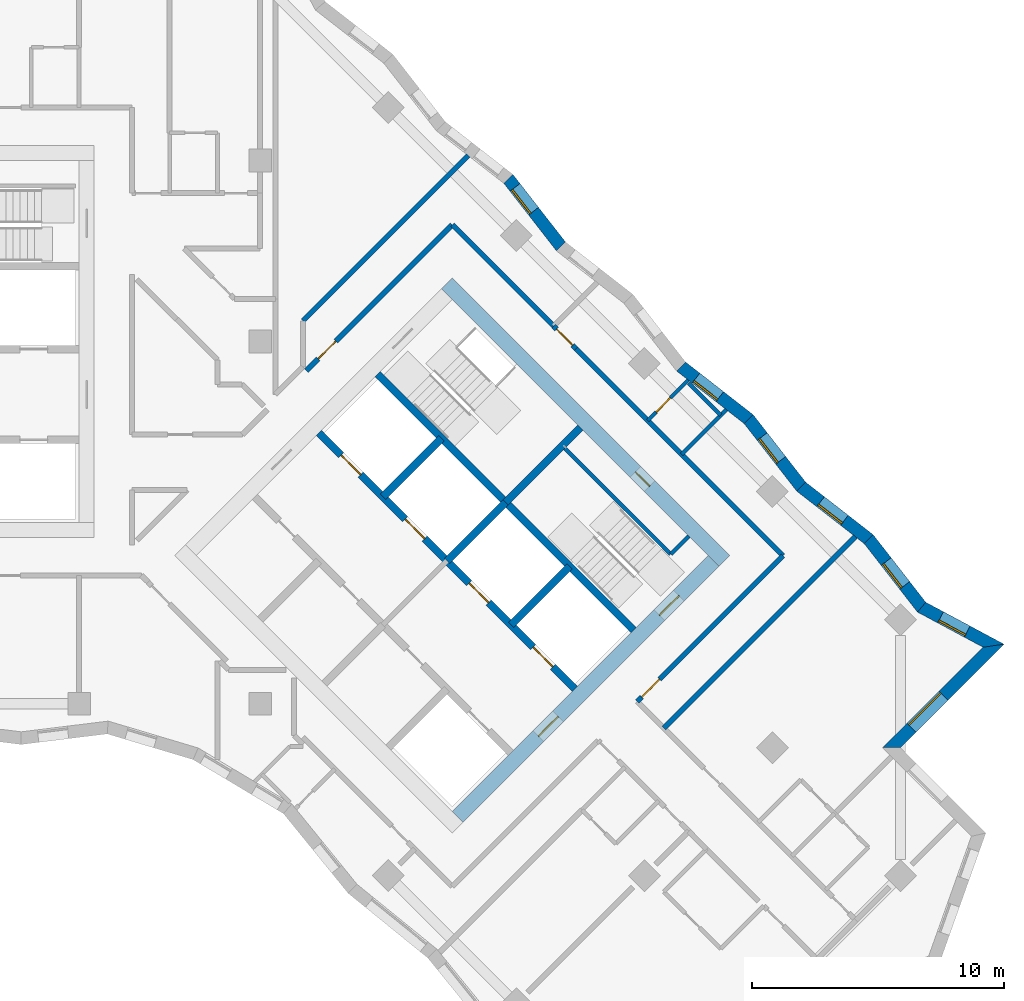
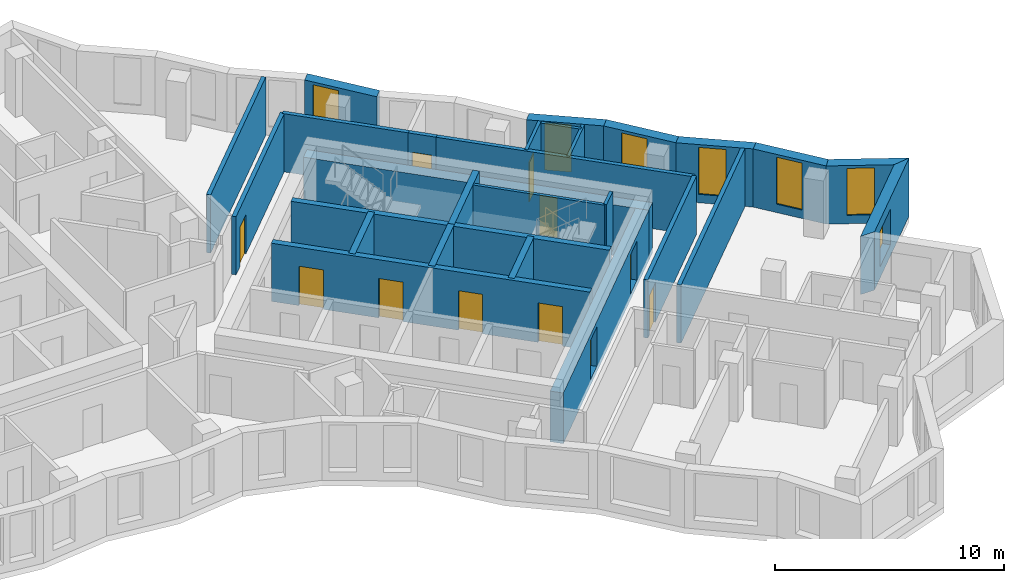
# One storey, part 9 of 12: 28 walls, 11 doors, 7 windows, 18 openings.
"""IFC4 building model written with IfcOpenShell, lengths in metres."""

from ifc_helpers import new_model, si_unit, direction, frame, frame_2d, origin, place, context, subcontext, project, spatial, polyline, rectangle, outline, extrude, material, layer, layer_set, type_object, element, fill, save


model = new_model("IFC4")

# Units and contexts
model_context = context("Model", 3, precision=1e-05, world=origin(), true_north=direction((0.0, 1.0)))
body_context = subcontext(model_context, "Body", "Model", "MODEL_VIEW")
ifc_project = project(units=[si_unit("LENGTHUNIT", "METRE"), si_unit("AREAUNIT", "SQUARE_METRE"), si_unit("VOLUMEUNIT", "CUBIC_METRE"), si_unit("PLANEANGLEUNIT", "RADIAN"), si_unit("MASSUNIT", "GRAM", prefix="KILO")], contexts=[model_context])

# Site, building, storey
site_placement = place(None, origin())
site = spatial("IfcSite", under=ifc_project, at=site_placement, CompositionType="ELEMENT")
building_placement = place(site_placement, origin())
building = spatial("IfcBuilding", under=site, at=building_placement, Name="Windrow Commons", CompositionType="ELEMENT")
storey_placement = place(building_placement, frame((0.0, 0.0, 149.0)))
storey = spatial("IfcBuildingStorey", under=building, at=storey_placement, Name="L40", CompositionType="ELEMENT", Elevation=149.0)

# Wall, opening, window
ifc_material_1 = material(Name="Brick masonry, red clay brick", Category="masonry")
ifc_layer_1 = layer(ifc_material_1, 0.5)
ifc_layer_set_1 = layer_set([ifc_layer_1], Name="Brick facade wall 500")
wall_type_1 = type_object("IfcWallType", Name="Brick facade wall 500", PredefinedType="SOLIDWALL", material=ifc_layer_set_1)
wall_1_placement = place(storey_placement, frame((104.3022, 41.453, 0.0), z_axis=(0.0, 0.0, 1.0), x_axis=(0.7071242197, 0.7070893422, 0.0)))
wall_1 = element("IfcWall", 1, at=wall_1_placement, inside=storey, type_object=wall_type_1, Name="Brick facade wall L40 6", PredefinedType="SOLIDWALL", context=body_context, shape_type="SweptSolid", body=[
    extrude(outline(polyline([(0.25, -0.25), (6.0711, -0.25), (5.3975, 0.25), (-0.25, 0.25), (0.25, -0.25)])), origin(), (0.0, 0.0, 1.0), 3.1),
])
opening_1_placement = place(wall_1_placement, frame((1.125, 0.0, 0.6)))
opening_1 = element("IfcOpeningElement", 2, at=opening_1_placement, cuts=wall_1, Name="Opening W1L", PredefinedType="OPENING", context=body_context, shape_type="SweptSolid", body=[
    extrude(rectangle(XDim=1.8, YDim=1.9, at=frame_2d((0.9, 0.95))), frame((0.0, 0.26, 0.0), z_axis=(0.0, -1.0, 0.0), x_axis=(1.0, 0.0, 0.0)), (0.0, 0.0, 1.0), 0.52),
])
ifc_material_2 = material(Name="Clear float glass in anodised aluminium frame", Category="aluminium")
window_type_1 = type_object("IfcWindowType", Name="Window W1L bedroom 1800x1900", PartitioningType="SINGLE_PANEL", PredefinedType="WINDOW", material=ifc_material_2)
window_1_placement = place(opening_1_placement, origin())
window_1 = element("IfcWindow", 3, at=window_1_placement, inside=storey, type_object=window_type_1, Name="Window L40 6.1", OverallHeight=1.9, OverallWidth=1.8, PartitioningType="SINGLE_PANEL", PredefinedType="WINDOW", context=body_context, shape_type="SweptSolid", body=[
    extrude(rectangle(XDim=1.8, YDim=1.9, at=frame_2d((0.9, 0.95))), frame((0.0, 0.18, 0.0), z_axis=(0.0, -1.0, 0.0), x_axis=(1.0, 0.0, 0.0)), (0.0, 0.0, 1.0), 0.06),
])
fill(opening_1, window_1)

wall_2_placement = place(storey_placement, frame((108.3571, 45.5077, 0.0), z_axis=(0.0, 0.0, 1.0), x_axis=(-0.8815024249, 0.4721794944, 0.0)))
wall_2 = element("IfcWall", 4, at=wall_2_placement, inside=storey, type_object=wall_type_1, Name="Brick facade wall L40 7", PredefinedType="SOLIDWALL", context=body_context, shape_type="SweptSolid", body=[
    extrude(outline(polyline([(-0.3368, -0.25), (3.1909, -0.25), (3.2968, 0.25), (0.3368, 0.25), (-0.3368, -0.25)])), origin(), (0.0, 0.0, 1.0), 3.1),
])
opening_2_placement = place(wall_2_placement, frame((1.1903, 0.0, 0.45)))
opening_2 = element("IfcOpeningElement", 5, at=opening_2_placement, cuts=wall_2, Name="Opening W7E", PredefinedType="OPENING", context=body_context, shape_type="SweptSolid", body=[
    extrude(rectangle(XDim=1.2, YDim=2.5, at=frame_2d((0.6, 1.25))), frame((0.0, 0.26, 0.0), z_axis=(0.0, -1.0, 0.0), x_axis=(1.0, 0.0, 0.0)), (0.0, 0.0, 1.0), 0.52),
])
ifc_material_3 = material(Name="Clear float glass in anodised aluminium frame", Category="aluminium")
window_type_2 = type_object("IfcWindowType", Name="Window W7 notch 1200x2500", PartitioningType="SINGLE_PANEL", PredefinedType="WINDOW", material=ifc_material_3)
window_2_placement = place(opening_2_placement, origin())
window_2 = element("IfcWindow", 6, at=window_2_placement, inside=storey, type_object=window_type_2, Name="Window L40 7.1", OverallHeight=2.5, OverallWidth=1.2, PartitioningType="SINGLE_PANEL", PredefinedType="WINDOW", context=body_context, shape_type="SweptSolid", body=[
    extrude(rectangle(XDim=1.2, YDim=2.5, at=frame_2d((0.6, 1.25))), frame((0.0, 0.18, 0.0), z_axis=(0.0, -1.0, 0.0), x_axis=(1.0, 0.0, 0.0)), (0.0, 0.0, 1.0), 0.06),
])
fill(opening_2, window_2)

wall_3_placement = place(storey_placement, frame((105.4976, 47.0394, 0.0), z_axis=(0.0, 0.0, 1.0), x_axis=(-0.6141912527, 0.7891572119, 0.0)))
wall_3 = element("IfcWall", 7, at=wall_3_placement, inside=storey, type_object=wall_type_1, Name="Brick facade wall L40 8", PredefinedType="SOLIDWALL", context=body_context, shape_type="SweptSolid", body=[
    extrude(outline(polyline([(0.053, -0.25), (3.4558, -0.25), (3.3935, 0.25), (-0.053, 0.25), (0.053, -0.25)])), origin(), (0.0, 0.0, 1.0), 3.1),
])
opening_3_placement = place(wall_3_placement, frame((1.0967, 0.0, 0.45)))
opening_3 = element("IfcOpeningElement", 8, at=opening_3_placement, cuts=wall_3, Name="Opening W7E", PredefinedType="OPENING", context=body_context, shape_type="SweptSolid", body=[
    extrude(rectangle(XDim=1.2, YDim=2.5, at=frame_2d((0.6, 1.25))), frame((0.0, 0.26, 0.0), z_axis=(0.0, -1.0, 0.0), x_axis=(1.0, 0.0, 0.0)), (0.0, 0.0, 1.0), 0.52),
])
window_3_placement = place(opening_3_placement, origin())
window_3 = element("IfcWindow", 9, at=window_3_placement, inside=storey, type_object=window_type_2, Name="Window L40 8.1", OverallHeight=2.5, OverallWidth=1.2, PartitioningType="SINGLE_PANEL", PredefinedType="WINDOW", context=body_context, shape_type="SweptSolid", body=[
    extrude(rectangle(XDim=1.2, YDim=2.5, at=frame_2d((0.6, 1.25))), frame((0.0, 0.18, 0.0), z_axis=(0.0, -1.0, 0.0), x_axis=(1.0, 0.0, 0.0)), (0.0, 0.0, 1.0), 0.06),
])
fill(opening_3, window_3)

wall_4_placement = place(storey_placement, frame((103.3942, 49.742, 0.0), z_axis=(0.0, 0.0, 1.0), x_axis=(-0.7891622864, 0.6141847326, 0.0)))
wall_4 = element("IfcWall", 10, at=wall_4_placement, inside=storey, type_object=wall_type_1, Name="Brick facade wall L40 9", PredefinedType="SOLIDWALL", context=body_context, shape_type="SweptSolid", body=[
    extrude(outline(polyline([(-0.0312, -0.25), (3.3716, -0.25), (3.434, 0.25), (0.0312, 0.25), (-0.0312, -0.25)])), origin(), (0.0, 0.0, 1.0), 3.1),
])
opening_4_placement = place(wall_4_placement, frame((1.2265, 0.0, 0.45)))
opening_4 = element("IfcOpeningElement", 11, at=opening_4_placement, cuts=wall_4, Name="Opening W7E", PredefinedType="OPENING", context=body_context, shape_type="SweptSolid", body=[
    extrude(rectangle(XDim=1.2, YDim=2.5, at=frame_2d((0.6, 1.25))), frame((0.0, 0.26, 0.0), z_axis=(0.0, -1.0, 0.0), x_axis=(1.0, 0.0, 0.0)), (0.0, 0.0, 1.0), 0.52),
])
window_4_placement = place(opening_4_placement, origin())
window_4 = element("IfcWindow", 12, at=window_4_placement, inside=storey, type_object=window_type_2, Name="Window L40 9.1", OverallHeight=2.5, OverallWidth=1.2, PartitioningType="SINGLE_PANEL", PredefinedType="WINDOW", context=body_context, shape_type="SweptSolid", body=[
    extrude(rectangle(XDim=1.2, YDim=2.5, at=frame_2d((0.6, 1.25))), frame((0.0, 0.18, 0.0), z_axis=(0.0, -1.0, 0.0), x_axis=(1.0, 0.0, 0.0)), (0.0, 0.0, 1.0), 0.06),
])
fill(opening_4, window_4)

wall_5_placement = place(storey_placement, frame((100.7089, 51.8319, 0.0), z_axis=(0.0, 0.0, 1.0), x_axis=(-0.6141887905, 0.7891591282, 0.0)))
wall_5 = element("IfcWall", 13, at=wall_5_placement, inside=storey, type_object=wall_type_1, Name="Brick facade wall L40 10", PredefinedType="SOLIDWALL", context=body_context, shape_type="SweptSolid", body=[
    extrude(outline(polyline([(0.0312, -0.25), (3.434, -0.25), (3.3716, 0.25), (-0.0312, 0.25), (0.0312, -0.25)])), origin(), (0.0, 0.0, 1.0), 3.1),
])
opening_5_placement = place(wall_5_placement, frame((1.3234, 0.0, 0.45)))
opening_5 = element("IfcOpeningElement", 14, at=opening_5_placement, cuts=wall_5, Name="Opening W7E", PredefinedType="OPENING", context=body_context, shape_type="SweptSolid", body=[
    extrude(rectangle(XDim=1.2, YDim=2.5, at=frame_2d((0.6, 1.25))), frame((0.0, 0.26, 0.0), z_axis=(0.0, -1.0, 0.0), x_axis=(1.0, 0.0, 0.0)), (0.0, 0.0, 1.0), 0.52),
])
window_5_placement = place(opening_5_placement, origin())
window_5 = element("IfcWindow", 15, at=window_5_placement, inside=storey, type_object=window_type_2, Name="Window L40 10.1", OverallHeight=2.5, OverallWidth=1.2, PartitioningType="SINGLE_PANEL", PredefinedType="WINDOW", context=body_context, shape_type="SweptSolid", body=[
    extrude(rectangle(XDim=1.2, YDim=2.5, at=frame_2d((0.6, 1.25))), frame((0.0, 0.18, 0.0), z_axis=(0.0, -1.0, 0.0), x_axis=(1.0, 0.0, 0.0)), (0.0, 0.0, 1.0), 0.06),
])
fill(opening_5, window_5)

wall_6_placement = place(storey_placement, frame((98.6189, 54.5173, 0.0), z_axis=(0.0, 0.0, 1.0), x_axis=(-0.7891480422, 0.6142030344, 0.0)))
wall_6 = element("IfcWall", 16, at=wall_6_placement, inside=storey, type_object=wall_type_1, Name="Brick facade wall L40 11", PredefinedType="SOLIDWALL", context=body_context, shape_type="SweptSolid", body=[
    extrude(outline(polyline([(-0.0312, -0.25), (3.3716, -0.25), (3.434, 0.25), (0.0312, 0.25), (-0.0312, -0.25)])), origin(), (0.0, 0.0, 1.0), 3.1),
])
opening_6_placement = place(wall_6_placement, frame((1.4516, 0.0, 0.45)))
opening_6 = element("IfcOpeningElement", 17, at=opening_6_placement, cuts=wall_6, Name="Opening W7E", PredefinedType="OPENING", context=body_context, shape_type="SweptSolid", body=[
    extrude(rectangle(XDim=1.2, YDim=2.5, at=frame_2d((0.6, 1.25))), frame((0.0, 0.26, 0.0), z_axis=(0.0, -1.0, 0.0), x_axis=(1.0, 0.0, 0.0)), (0.0, 0.0, 1.0), 0.52),
])
window_6_placement = place(opening_6_placement, origin())
window_6 = element("IfcWindow", 18, at=window_6_placement, inside=storey, type_object=window_type_2, Name="Window L40 11.1", OverallHeight=2.5, OverallWidth=1.2, PartitioningType="SINGLE_PANEL", PredefinedType="WINDOW", context=body_context, shape_type="SweptSolid", body=[
    extrude(rectangle(XDim=1.2, YDim=2.5, at=frame_2d((0.6, 1.25))), frame((0.0, 0.18, 0.0), z_axis=(0.0, -1.0, 0.0), x_axis=(1.0, 0.0, 0.0)), (0.0, 0.0, 1.0), 0.06),
])
fill(opening_6, window_6)

wall_7_placement = place(storey_placement, frame((91.1582, 61.3826, 0.0), z_axis=(0.0, 0.0, 1.0), x_axis=(-0.6141847326, 0.7891622864, 0.0)))
wall_7 = element("IfcWall", 19, at=wall_7_placement, inside=storey, type_object=wall_type_1, Name="Brick facade wall L40 14", PredefinedType="SOLIDWALL", context=body_context, shape_type="SweptSolid", body=[
    extrude(outline(polyline([(0.0312, -0.25), (3.434, -0.25), (3.3716, 0.25), (-0.0312, 0.25), (0.0312, -0.25)])), origin(), (0.0, 0.0, 1.0), 3.1),
])
opening_7_placement = place(wall_7_placement, frame((1.7736, 0.0, 0.45)))
opening_7 = element("IfcOpeningElement", 20, at=opening_7_placement, cuts=wall_7, Name="Opening W7E", PredefinedType="OPENING", context=body_context, shape_type="SweptSolid", body=[
    extrude(rectangle(XDim=1.2, YDim=2.5, at=frame_2d((0.6, 1.25))), frame((0.0, 0.26, 0.0), z_axis=(0.0, -1.0, 0.0), x_axis=(1.0, 0.0, 0.0)), (0.0, 0.0, 1.0), 0.52),
])
window_7_placement = place(opening_7_placement, origin())
window_7 = element("IfcWindow", 21, at=window_7_placement, inside=storey, type_object=window_type_2, Name="Window L40 14.1", OverallHeight=2.5, OverallWidth=1.2, PartitioningType="SINGLE_PANEL", PredefinedType="WINDOW", context=body_context, shape_type="SweptSolid", body=[
    extrude(rectangle(XDim=1.2, YDim=2.5, at=frame_2d((0.6, 1.25))), frame((0.0, 0.18, 0.0), z_axis=(0.0, -1.0, 0.0), x_axis=(1.0, 0.0, 0.0)), (0.0, 0.0, 1.0), 0.06),
])
fill(opening_7, window_7)

# Wall
ifc_material_4 = material(Name="Blockwork partition", Category="masonry")
ifc_layer_2 = layer(ifc_material_4, 0.2)
ifc_layer_set_2 = layer_set([ifc_layer_2], Name="IW-CORRIDOR-200")
wall_type_2 = type_object("IfcWallType", Name="IW-CORRIDOR-200", PredefinedType="PARTITIONING", material=ifc_layer_set_2)
wall_8_placement = place(storey_placement, frame((91.7551, 57.3171, 0.0), z_axis=(0.0, 0.0, 1.0), x_axis=(0.7071067812, -0.7071067812, 0.0)))
element("IfcWall", 22, at=wall_8_placement, inside=storey, type_object=wall_type_2, Name="W-L40-W006", PredefinedType="PARTITIONING", context=body_context, shape_type="SweptSolid", body=[
    extrude(rectangle(XDim=11.639, YDim=0.2, at=frame_2d((5.8195, 0.0))), origin(), (0.0, 0.0, 1.0), 3.1),
])

# Wall, opening, door
wall_9_placement = place(storey_placement, frame((94.1898, 43.2922, 0.0), z_axis=(0.0, 0.0, 1.0), x_axis=(0.7071067812, 0.7071067812, 0.0)))
wall_9 = element("IfcWall", 23, at=wall_9_placement, inside=storey, type_object=wall_type_2, Name="W-L40-W011", PredefinedType="PARTITIONING", context=body_context, shape_type="SweptSolid", body=[
    extrude(rectangle(XDim=8.1996, YDim=0.2, at=frame_2d((4.0998, 0.0))), origin(), (0.0, 0.0, 1.0), 3.1),
])
opening_8_placement = place(wall_9_placement, frame((0.2506, 0.0, 0.0)))
opening_8 = element("IfcOpeningElement", 24, at=opening_8_placement, cuts=wall_9, Name="Opening D310F", PredefinedType="OPENING", context=body_context, shape_type="SweptSolid", body=[
    extrude(rectangle(XDim=1.0, YDim=2.1, at=frame_2d((0.5, 1.05))), frame((0.0, 0.11, 0.0), z_axis=(0.0, -1.0, 0.0), x_axis=(1.0, 0.0, 0.0)), (0.0, 0.0, 1.0), 0.22),
])
ifc_material_5 = material(Name="Timber door leaf", Category="wood")
door_type_1 = type_object("IfcDoorType", Name="DT-AMENITY-1000", OperationType="SINGLE_SWING_LEFT", PredefinedType="DOOR", material=ifc_material_5)
door_1_placement = place(opening_8_placement, origin())
door_1 = element("IfcDoor", 25, at=door_1_placement, inside=storey, type_object=door_type_1, Name="D-L40-D041", OperationType="SINGLE_SWING_RIGHT", OverallHeight=2.1, OverallWidth=1.0, PredefinedType="DOOR", context=body_context, shape_type="SweptSolid", body=[
    extrude(rectangle(XDim=1.0, YDim=2.1, at=frame_2d((0.5, 1.05))), frame((0.0, 0.025, 0.0), z_axis=(0.0, -1.0, 0.0), x_axis=(1.0, 0.0, 0.0)), (0.0, 0.0, 1.0), 0.05),
])
fill(opening_8, door_1)

wall_10_placement = place(storey_placement, frame((81.0376, 56.4444, 0.0), z_axis=(0.0, 0.0, 1.0), x_axis=(0.7071067812, 0.7071067812, 0.0)))
wall_10 = element("IfcWall", 26, at=wall_10_placement, inside=storey, type_object=wall_type_2, Name="W-L40-W012", PredefinedType="PARTITIONING", context=body_context, shape_type="SweptSolid", body=[
    extrude(rectangle(XDim=8.1996, YDim=0.2, at=frame_2d((4.0998, 0.0))), origin(), (0.0, 0.0, 1.0), 3.1),
])
opening_9_placement = place(wall_10_placement, frame((0.6596, 0.0, 0.0)))
opening_9 = element("IfcOpeningElement", 27, at=opening_9_placement, cuts=wall_10, Name="Opening D310F", PredefinedType="OPENING", context=body_context, shape_type="SweptSolid", body=[
    extrude(rectangle(XDim=1.0, YDim=2.1, at=frame_2d((0.5, 1.05))), frame((0.0, 0.11, 0.0), z_axis=(0.0, -1.0, 0.0), x_axis=(1.0, 0.0, 0.0)), (0.0, 0.0, 1.0), 0.22),
])
door_2_placement = place(opening_9_placement, origin())
door_2 = element("IfcDoor", 28, at=door_2_placement, inside=storey, type_object=door_type_1, Name="D-L40-D040", OperationType="SINGLE_SWING_RIGHT", OverallHeight=2.1, OverallWidth=1.0, PredefinedType="DOOR", context=body_context, shape_type="SweptSolid", body=[
    extrude(rectangle(XDim=1.0, YDim=2.1, at=frame_2d((0.5, 1.05))), frame((0.0, 0.025, 0.0), z_axis=(0.0, -1.0, 0.0), x_axis=(1.0, 0.0, 0.0)), (0.0, 0.0, 1.0), 0.05),
])
fill(opening_9, door_2)

# Wall
wall_11_placement = place(storey_placement, frame((86.8412, 62.2452, 0.0), z_axis=(0.0, 0.0, 1.0), x_axis=(0.7071067812, -0.7071067812, 0.0)))
element("IfcWall", 29, at=wall_11_placement, inside=storey, type_object=wall_type_2, Name="W-L40-W034", PredefinedType="PARTITIONING", context=body_context, shape_type="SweptSolid", body=[
    extrude(rectangle(XDim=5.6993, YDim=0.2, at=frame_2d((2.8497, 0.0))), origin(), (0.0, 0.0, 1.0), 3.1),
])

# Wall, opening, door
wall_12_placement = place(storey_placement, frame((90.8671, 58.2111, 0.0), z_axis=(0.0, 0.0, 1.0), x_axis=(0.706312726, -0.7078999456, 0.0)))
wall_12 = element("IfcWall", 30, at=wall_12_placement, inside=storey, type_object=wall_type_2, Name="W-L40-W148", PredefinedType="PARTITIONING", context=body_context, shape_type="SweptSolid", body=[
    extrude(rectangle(XDim=1.2601, YDim=0.2, at=frame_2d((0.63, 0.0))), origin(), (0.0, 0.0, 1.0), 3.1),
])
opening_10_placement = place(wall_12_placement, frame((0.1624, 0.0, 0.0)))
opening_10 = element("IfcOpeningElement", 31, at=opening_10_placement, cuts=wall_12, Name="Opening D109S", PredefinedType="OPENING", context=body_context, shape_type="SweptSolid", body=[
    extrude(rectangle(XDim=0.9, YDim=2.1, at=frame_2d((0.45, 1.05))), frame((0.0, 0.11, 0.0), z_axis=(0.0, -1.0, 0.0), x_axis=(1.0, 0.0, 0.0)), (0.0, 0.0, 1.0), 0.22),
])
ifc_material_6 = material(Name="Timber door leaf", Category="wood")
door_type_2 = type_object("IfcDoorType", Name="DT-BEDROOM-900", OperationType="SINGLE_SWING_LEFT", PredefinedType="DOOR", material=ifc_material_6)
door_3_placement = place(opening_10_placement, origin())
door_3 = element("IfcDoor", 32, at=door_3_placement, inside=storey, type_object=door_type_2, Name="D-L40-D044", OperationType="SINGLE_SWING_RIGHT", OverallHeight=2.1, OverallWidth=0.9, PredefinedType="DOOR", context=body_context, shape_type="SweptSolid", body=[
    extrude(rectangle(XDim=0.9, YDim=2.1, at=frame_2d((0.45, 1.05))), frame((0.0, 0.025, 0.0), z_axis=(0.0, -1.0, 0.0), x_axis=(1.0, 0.0, 0.0)), (0.0, 0.0, 1.0), 0.05),
])
fill(opening_10, door_3)

# Wall
ifc_material_7 = material(Name="Blockwork partition", Category="masonry")
ifc_layer_3 = layer(ifc_material_7, 0.15)
ifc_layer_set_3 = layer_set([ifc_layer_3], Name="IW-ENSUITE-150")
wall_type_3 = type_object("IfcWallType", Name="IW-ENSUITE-150", PredefinedType="PARTITIONING", material=ifc_layer_set_3)
wall_13_placement = place(storey_placement, frame((95.9573, 53.1207, 0.0), z_axis=(0.0, 0.0, 1.0), x_axis=(0.7071067812, 0.7071067812, 0.0)))
element("IfcWall", 33, at=wall_13_placement, inside=storey, type_object=wall_type_3, Name="W-L40-W064", PredefinedType="PARTITIONING", context=body_context, shape_type="SweptSolid", body=[
    extrude(rectangle(XDim=2.5061, YDim=0.15, at=frame_2d((1.253, 0.0))), origin(), (0.0, 0.0, 1.0), 3.1),
])

# Wall, opening, door
wall_14_placement = place(storey_placement, frame((94.6138, 54.4642, 0.0), z_axis=(0.0, 0.0, 1.0), x_axis=(0.7070847464, 0.7071288153, 0.0)))
wall_14 = element("IfcWall", 34, at=wall_14_placement, inside=storey, type_object=wall_type_3, Name="W-L40-W106", PredefinedType="PARTITIONING", context=body_context, shape_type="SweptSolid", body=[
    extrude(rectangle(XDim=2.2692, YDim=0.15, at=frame_2d((1.1346, 0.0))), origin(), (0.0, 0.0, 1.0), 3.1),
])
opening_11_placement = place(wall_14_placement, frame((0.4662, 0.0, 0.0)))
opening_11 = element("IfcOpeningElement", 35, at=opening_11_placement, cuts=wall_14, Name="Opening D208N", PredefinedType="OPENING", context=body_context, shape_type="SweptSolid", body=[
    extrude(rectangle(XDim=0.8, YDim=2.1, at=frame_2d((0.4, 1.05))), frame((0.0, 0.085, 0.0), z_axis=(0.0, -1.0, 0.0), x_axis=(1.0, 0.0, 0.0)), (0.0, 0.0, 1.0), 0.17),
])
ifc_material_8 = material(Name="Timber door leaf", Category="wood")
door_type_3 = type_object("IfcDoorType", Name="DT-ENSUITE-800", OperationType="SINGLE_SWING_LEFT", PredefinedType="DOOR", material=ifc_material_8)
door_4_placement = place(opening_11_placement, origin())
door_4 = element("IfcDoor", 36, at=door_4_placement, inside=storey, type_object=door_type_3, Name="D-L40-D045", OperationType="SINGLE_SWING_RIGHT", OverallHeight=2.1, OverallWidth=0.8, PredefinedType="DOOR", context=body_context, shape_type="SweptSolid", body=[
    extrude(rectangle(XDim=0.8, YDim=2.1, at=frame_2d((0.4, 1.05))), frame((0.0, 0.025, 0.0), z_axis=(0.0, -1.0, 0.0), x_axis=(1.0, 0.0, 0.0)), (0.0, 0.0, 1.0), 0.05),
])
fill(opening_11, door_4)

# Walls
wall_15_placement = place(storey_placement, frame((96.2348, 55.9488, 0.0), z_axis=(0.0, 0.0, 1.0), x_axis=(0.7071067812, -0.7071067812, 0.0)))
element("IfcWall", 37, at=wall_15_placement, inside=storey, type_object=wall_type_3, Name="W-L40-W138", PredefinedType="PARTITIONING", context=body_context, shape_type="SweptSolid", body=[
    extrude(rectangle(XDim=1.8045, YDim=0.15, at=frame_2d((0.9022, 0.0))), origin(), (0.0, 0.0, 1.0), 3.1),
])
ifc_material_9 = material(Name="Blockwork partition", Category="masonry")
ifc_layer_4 = layer(ifc_material_9, 0.2)
ifc_layer_set_4 = layer_set([ifc_layer_4], Name="IW-PARTY-200")
wall_type_4 = type_object("IfcWallType", Name="IW-PARTY-200", PredefinedType="PARTITIONING", material=ifc_layer_set_4)
wall_16_placement = place(storey_placement, frame((95.2504, 42.2316, 0.0), z_axis=(0.0, 0.0, 1.0), x_axis=(0.7071114274, 0.7071021349, 0.0)))
element("IfcWall", 38, at=wall_16_placement, inside=storey, type_object=wall_type_4, Name="W-L40-W007", PredefinedType="PARTITIONING", context=body_context, shape_type="SweptSolid", body=[
    extrude(rectangle(XDim=10.7614, YDim=0.2, at=frame_2d((5.3807, 0.0))), origin(), (0.0, 0.0, 1.0), 3.1),
])
wall_17_placement = place(storey_placement, frame((80.8989, 58.4271, 0.0), z_axis=(0.0, 0.0, 1.0), x_axis=(0.707112163, 0.7071013993, 0.0)))
element("IfcWall", 39, at=wall_17_placement, inside=storey, type_object=wall_type_4, Name="W-L40-W009", PredefinedType="PARTITIONING", context=body_context, shape_type="SweptSolid", body=[
    extrude(rectangle(XDim=9.2905, YDim=0.2, at=frame_2d((4.6452, 0.0))), origin(), (0.0, 0.0, 1.0), 3.1),
])

# Wall, opening, door
ifc_material_10 = material(Name="Concrete C50/60", Category="concrete")
ifc_layer_5 = layer(ifc_material_10, 0.6)
ifc_layer_set_5 = layer_set([ifc_layer_5], Name="RC CORE WALL 600 C50/60")
wall_type_5 = type_object("IfcWallType", Name="RC CORE WALL 600 C50/60", PredefinedType="SHEAR", material=ifc_layer_set_5)
wall_18_placement = place(storey_placement, frame((86.6246, 59.9085, -0.3), z_axis=(0.0, 0.0, 1.0), x_axis=(0.7071067812, -0.7071067812, 0.0)))
wall_18 = element("IfcWall", 40, at=wall_18_placement, inside=storey, type_object=wall_type_5, Name="Core B wall outer-N", PredefinedType="SHEAR", context=body_context, shape_type="SweptSolid", body=[
    extrude(rectangle(XDim=15.6, YDim=0.6, at=frame_2d((7.8, 0.0))), origin(), (0.0, 0.0, 1.0), 2.7),
])
opening_12_placement = place(wall_18_placement, frame((10.6, 0.0, 0.3)))
opening_12 = element("IfcOpeningElement", 41, at=opening_12_placement, cuts=wall_18, Name="Opening D9", PredefinedType="OPENING", context=body_context, shape_type="SweptSolid", body=[
    extrude(rectangle(XDim=0.8, YDim=2.1, at=frame_2d((0.4, 1.05))), frame((0.0, 0.31, 0.0), z_axis=(0.0, -1.0, 0.0), x_axis=(1.0, 0.0, 0.0)), (0.0, 0.0, 1.0), 0.62),
])
ifc_material_11 = material(Name="Steel fire door leaf", Category="steel")
door_type_4 = type_object("IfcDoorType", Name="Riser access door 800", OperationType="SINGLE_SWING_LEFT", PredefinedType="DOOR", material=ifc_material_11)
door_5_placement = place(opening_12_placement, origin())
door_5 = element("IfcDoor", 42, at=door_5_placement, inside=storey, type_object=door_type_4, Name="Riser access door", OperationType="SINGLE_SWING_RIGHT", OverallHeight=2.1, OverallWidth=0.8, PredefinedType="DOOR", context=body_context, shape_type="SweptSolid", body=[
    extrude(rectangle(XDim=0.8, YDim=2.1, at=frame_2d((0.4, 1.05))), frame((0.0, 0.025, 0.0), z_axis=(0.0, -1.0, 0.0), x_axis=(1.0, 0.0, 0.0)), (0.0, 0.0, 1.0), 0.05),
])
fill(opening_12, door_5)

# Wall, openings, doors
wall_19_placement = place(storey_placement, frame((87.0489, 38.6953, -0.3), z_axis=(0.0, 0.0, 1.0), x_axis=(0.7071067812, 0.7071067812, 0.0)))
wall_19 = element("IfcWall", 43, at=wall_19_placement, inside=storey, type_object=wall_type_5, Name="Core B wall outer-E", PredefinedType="SHEAR", context=body_context, shape_type="SweptSolid", body=[
    extrude(rectangle(XDim=14.3999, YDim=0.6, at=frame_2d((7.2, 0.0))), origin(), (0.0, 0.0, 1.0), 2.7),
])
opening_13_placement = place(wall_19_placement, frame((4.55, 0.0, 0.3)))
opening_13 = element("IfcOpeningElement", 44, at=opening_13_placement, cuts=wall_19, Name="Opening D6", PredefinedType="OPENING", context=body_context, shape_type="SweptSolid", body=[
    extrude(rectangle(XDim=1.1, YDim=2.1, at=frame_2d((0.55, 1.05))), frame((0.0, 0.31, 0.0), z_axis=(0.0, -1.0, 0.0), x_axis=(1.0, 0.0, 0.0)), (0.0, 0.0, 1.0), 0.62),
])
opening_14_placement = place(wall_19_placement, frame((11.35, 0.0, 0.3)))
opening_14 = element("IfcOpeningElement", 45, at=opening_14_placement, cuts=wall_19, Name="Opening D7", PredefinedType="OPENING", context=body_context, shape_type="SweptSolid", body=[
    extrude(rectangle(XDim=1.1, YDim=2.1, at=frame_2d((0.55, 1.05))), frame((0.0, 0.31, 0.0), z_axis=(0.0, -1.0, 0.0), x_axis=(1.0, 0.0, 0.0)), (0.0, 0.0, 1.0), 0.62),
])
ifc_material_12 = material(Name="Steel fire door leaf", Category="steel")
door_type_5 = type_object("IfcDoorType", Name="Core lobby door 1100", OperationType="SINGLE_SWING_LEFT", PredefinedType="DOOR", material=ifc_material_12)
door_6_placement = place(opening_13_placement, origin())
door_6 = element("IfcDoor", 46, at=door_6_placement, inside=storey, type_object=door_type_5, Name="Lift lobby door", OperationType="DOUBLE_DOOR_SINGLE_SWING", OverallHeight=2.1, OverallWidth=1.1, PredefinedType="DOOR", context=body_context, shape_type="SweptSolid", body=[
    extrude(rectangle(XDim=1.1, YDim=2.1, at=frame_2d((0.55, 1.05))), frame((0.0, 0.025, 0.0), z_axis=(0.0, -1.0, 0.0), x_axis=(1.0, 0.0, 0.0)), (0.0, 0.0, 1.0), 0.05),
])
fill(opening_13, door_6)
ifc_material_13 = material(Name="Steel fire door leaf", Category="steel")
door_type_6 = type_object("IfcDoorType", Name="Stair door 1100", OperationType="SINGLE_SWING_LEFT", PredefinedType="DOOR", material=ifc_material_13)
door_7_placement = place(opening_14_placement, origin())
door_7 = element("IfcDoor", 47, at=door_7_placement, inside=storey, type_object=door_type_6, Name="Stair door", OperationType="SINGLE_SWING_RIGHT", OverallHeight=2.1, OverallWidth=1.1, PredefinedType="DOOR", context=body_context, shape_type="SweptSolid", body=[
    extrude(rectangle(XDim=1.1, YDim=2.1, at=frame_2d((0.55, 1.05))), frame((0.0, 0.025, 0.0), z_axis=(0.0, -1.0, 0.0), x_axis=(1.0, 0.0, 0.0)), (0.0, 0.0, 1.0), 0.05),
])
fill(opening_14, door_7)

# Walls
ifc_material_14 = material(Name="Concrete C50/60", Category="concrete")
ifc_layer_6 = layer(ifc_material_14, 0.3)
ifc_layer_set_6 = layer_set([ifc_layer_6], Name="RC SHAFT WALL 300 C50/60")
wall_type_6 = type_object("IfcWallType", Name="RC SHAFT WALL 300 C50/60", PredefinedType="SOLIDWALL", material=ifc_layer_set_6)
wall_20_placement = place(storey_placement, frame((84.079, 51.4232, 0.0), z_axis=(0.0, 0.0, 1.0), x_axis=(0.7071219326, 0.7070916295, 0.0)))
element("IfcWall", 48, at=wall_20_placement, inside=storey, type_object=wall_type_6, Name="Core B wall shaft-N1", PredefinedType="SOLIDWALL", context=body_context, shape_type="SweptSolid", body=[
    extrude(rectangle(XDim=3.3, YDim=0.3, at=frame_2d((1.65, 0.0))), origin(), (0.0, 0.0, 1.0), 3.1),
])
for number, where, z_axis, x_axis, name in (
    (49, (86.6246, 48.8776, 0.0), (0.0, 0.0, 1.0), (0.7071067812, 0.7071067812, 0.0), "Core B wall shaft-N2"),
    (50, (89.1702, 46.332, 0.0), (0.0, 0.0, 1.0), (0.7071067812, 0.7071067812, 0.0), "Core B wall shaft-N3"),
):
    element("IfcWall", number, at=place(storey_placement, frame(where, z_axis=z_axis, x_axis=x_axis)), inside=storey, type_object=wall_type_6, Name=name, PredefinedType="SOLIDWALL", context=body_context, shape_type="SweptSolid", body=[
        extrude(rectangle(XDim=3.3001, YDim=0.3, at=frame_2d((1.6501, 0.0))), origin(), (0.0, 0.0, 1.0), 3.1),
    ])

# Wall, openings, doors
wall_21_placement = place(storey_placement, frame((81.5335, 53.9688, 0.0), z_axis=(0.0, 0.0, 1.0), x_axis=(0.707103309, -0.7071102534, 0.0)))
wall_21 = element("IfcWall", 51, at=wall_21_placement, inside=storey, type_object=wall_type_6, Name="Core B wall lobby-N", PredefinedType="SOLIDWALL", context=body_context, shape_type="SweptSolid", body=[
    extrude(rectangle(XDim=14.4, YDim=0.3, at=frame_2d((7.2, 0.0))), origin(), (0.0, 0.0, 1.0), 3.1),
])
opening_15_placement = place(wall_21_placement, frame((1.25, 0.0, 0.0)))
opening_15 = element("IfcOpeningElement", 52, at=opening_15_placement, cuts=wall_21, Name="Opening LD", PredefinedType="OPENING", context=body_context, shape_type="SweptSolid", body=[
    extrude(rectangle(XDim=1.1, YDim=2.1, at=frame_2d((0.55, 1.05))), frame((0.0, 0.16, 0.0), z_axis=(0.0, -1.0, 0.0), x_axis=(1.0, 0.0, 0.0)), (0.0, 0.0, 1.0), 0.32),
])
opening_16_placement = place(wall_21_placement, frame((4.85, 0.0, 0.0)))
opening_16 = element("IfcOpeningElement", 53, at=opening_16_placement, cuts=wall_21, Name="Opening LD", PredefinedType="OPENING", context=body_context, shape_type="SweptSolid", body=[
    extrude(rectangle(XDim=1.1, YDim=2.1, at=frame_2d((0.55, 1.05))), frame((0.0, 0.16, 0.0), z_axis=(0.0, -1.0, 0.0), x_axis=(1.0, 0.0, 0.0)), (0.0, 0.0, 1.0), 0.32),
])
opening_17_placement = place(wall_21_placement, frame((8.45, 0.0, 0.0)))
opening_17 = element("IfcOpeningElement", 54, at=opening_17_placement, cuts=wall_21, Name="Opening LD", PredefinedType="OPENING", context=body_context, shape_type="SweptSolid", body=[
    extrude(rectangle(XDim=1.1, YDim=2.1, at=frame_2d((0.55, 1.05))), frame((0.0, 0.16, 0.0), z_axis=(0.0, -1.0, 0.0), x_axis=(1.0, 0.0, 0.0)), (0.0, 0.0, 1.0), 0.32),
])
opening_18_placement = place(wall_21_placement, frame((12.05, 0.0, 0.0)))
opening_18 = element("IfcOpeningElement", 55, at=opening_18_placement, cuts=wall_21, Name="Opening LD", PredefinedType="OPENING", context=body_context, shape_type="SweptSolid", body=[
    extrude(rectangle(XDim=1.1, YDim=2.1, at=frame_2d((0.55, 1.05))), frame((0.0, 0.16, 0.0), z_axis=(0.0, -1.0, 0.0), x_axis=(1.0, 0.0, 0.0)), (0.0, 0.0, 1.0), 0.32),
])
ifc_material_15 = material(Name="Stainless steel door leaf", Category="steel")
door_type_7 = type_object("IfcDoorType", Name="Lift landing door 1100", OperationType="SLIDING_TO_LEFT", PredefinedType="DOOR", material=ifc_material_15)
door_8_placement = place(opening_15_placement, origin())
door_8 = element("IfcDoor", 56, at=door_8_placement, inside=storey, type_object=door_type_7, Name="Lift landing door", OperationType="SLIDING_TO_LEFT", OverallHeight=2.1, OverallWidth=1.1, PredefinedType="DOOR", context=body_context, shape_type="SweptSolid", body=[
    extrude(rectangle(XDim=1.1, YDim=2.1, at=frame_2d((0.55, 1.05))), frame((0.0, 0.025, 0.0), z_axis=(0.0, -1.0, 0.0), x_axis=(1.0, 0.0, 0.0)), (0.0, 0.0, 1.0), 0.05),
])
fill(opening_15, door_8)
door_9_placement = place(opening_16_placement, origin())
door_9 = element("IfcDoor", 57, at=door_9_placement, inside=storey, type_object=door_type_7, Name="Lift landing door", OperationType="SLIDING_TO_RIGHT", OverallHeight=2.1, OverallWidth=1.1, PredefinedType="DOOR", context=body_context, shape_type="SweptSolid", body=[
    extrude(rectangle(XDim=1.1, YDim=2.1, at=frame_2d((0.55, 1.05))), frame((0.0, 0.025, 0.0), z_axis=(0.0, -1.0, 0.0), x_axis=(1.0, 0.0, 0.0)), (0.0, 0.0, 1.0), 0.05),
])
fill(opening_16, door_9)
door_10_placement = place(opening_17_placement, origin())
door_10 = element("IfcDoor", 58, at=door_10_placement, inside=storey, type_object=door_type_7, Name="Lift landing door", OperationType="SLIDING_TO_LEFT", OverallHeight=2.1, OverallWidth=1.1, PredefinedType="DOOR", context=body_context, shape_type="SweptSolid", body=[
    extrude(rectangle(XDim=1.1, YDim=2.1, at=frame_2d((0.55, 1.05))), frame((0.0, 0.025, 0.0), z_axis=(0.0, -1.0, 0.0), x_axis=(1.0, 0.0, 0.0)), (0.0, 0.0, 1.0), 0.05),
])
fill(opening_17, door_10)
door_11_placement = place(opening_18_placement, origin())
door_11 = element("IfcDoor", 59, at=door_11_placement, inside=storey, type_object=door_type_7, Name="Lift landing door", OperationType="SLIDING_TO_RIGHT", OverallHeight=2.1, OverallWidth=1.1, PredefinedType="DOOR", context=body_context, shape_type="SweptSolid", body=[
    extrude(rectangle(XDim=1.1, YDim=2.1, at=frame_2d((0.55, 1.05))), frame((0.0, 0.025, 0.0), z_axis=(0.0, -1.0, 0.0), x_axis=(1.0, 0.0, 0.0)), (0.0, 0.0, 1.0), 0.05),
])
fill(opening_18, door_11)

# Walls
for number, where, z_axis, x_axis, name in (
    (60, (83.8669, 56.3022, 0.0), (0.0, 0.0, 1.0), (0.7071137256, -0.7070998367, 0.0), "Core B wall stair-S"),
    (61, (88.9581, 51.2111, 0.0), (0.0, 0.0, 1.0), (0.7070998367, -0.7071137256, 0.0), "Core B wall stair-S2"),
):
    element("IfcWall", number, at=place(storey_placement, frame(where, z_axis=z_axis, x_axis=x_axis)), inside=storey, type_object=wall_type_6, Name=name, PredefinedType="SOLIDWALL", context=body_context, shape_type="SweptSolid", body=[
        extrude(rectangle(XDim=7.2, YDim=0.3, at=frame_2d((3.6, 0.0))), origin(), (0.0, 0.0, 1.0), 3.1),
    ])
wall_22_placement = place(storey_placement, frame((88.9581, 51.2111, 0.0), z_axis=(0.0, 0.0, 1.0), x_axis=(0.7071067812, 0.7071067812, 0.0)))
element("IfcWall", 62, at=wall_22_placement, inside=storey, type_object=wall_type_6, Name="Core B wall stair-mid", PredefinedType="SOLIDWALL", context=body_context, shape_type="SweptSolid", body=[
    extrude(rectangle(XDim=4.1999, YDim=0.3, at=frame_2d((2.1, 0.0))), origin(), (0.0, 0.0, 1.0), 3.1),
])
ifc_material_16 = material(Name="Blockwork partition", Category="masonry")
ifc_layer_7 = layer(ifc_material_16, 0.15)
ifc_layer_set_7 = layer_set([ifc_layer_7], Name="Riser partition 150")
wall_type_7 = type_object("IfcWallType", Name="Riser partition 150", PredefinedType="PARTITIONING", material=ifc_layer_set_7)
wall_23_placement = place(storey_placement, frame((91.3127, 53.3536, 0.0), z_axis=(0.0, 0.0, 1.0), x_axis=(0.7071067812, -0.7071067812, 0.0)))
element("IfcWall", 63, at=wall_23_placement, inside=storey, type_object=wall_type_7, Name="W-core-strip-B-L40", PredefinedType="PARTITIONING", context=body_context, shape_type="SweptSolid", body=[
    extrude(rectangle(XDim=5.95, YDim=0.15, at=frame_2d((2.975, 0.0))), origin(), (0.0, 0.0, 1.0), 3.1),
])
wall_24_placement = place(storey_placement, frame((95.52, 49.1463, 0.0), z_axis=(0.0, 0.0, 1.0), x_axis=(0.7071067812, 0.7071067812, 0.0)))
element("IfcWall", 64, at=wall_24_placement, inside=storey, type_object=wall_type_7, Name="W-core-stripx-B-L40-1", PredefinedType="PARTITIONING", context=body_context, shape_type="SweptSolid", body=[
    extrude(rectangle(XDim=1.0201, YDim=0.15, at=frame_2d((0.5101, 0.0))), origin(), (0.0, 0.0, 1.0), 3.1),
])

save(model, "model.ifc")
